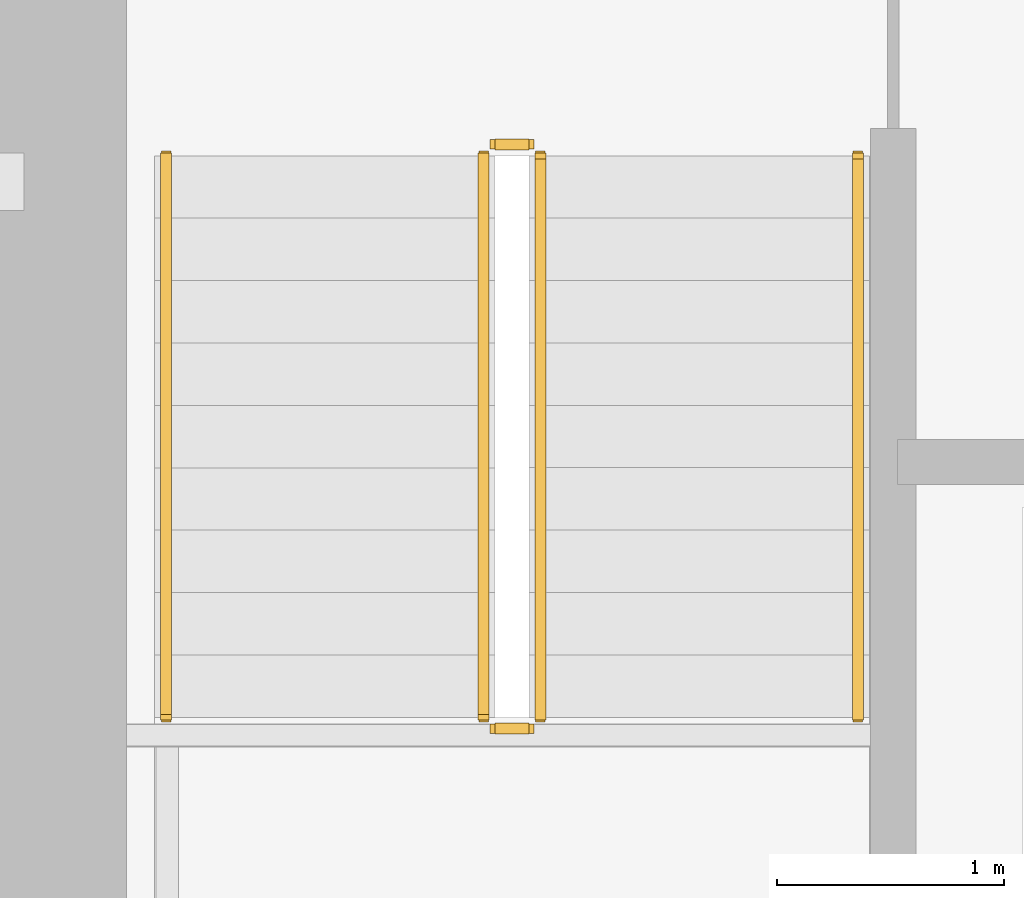
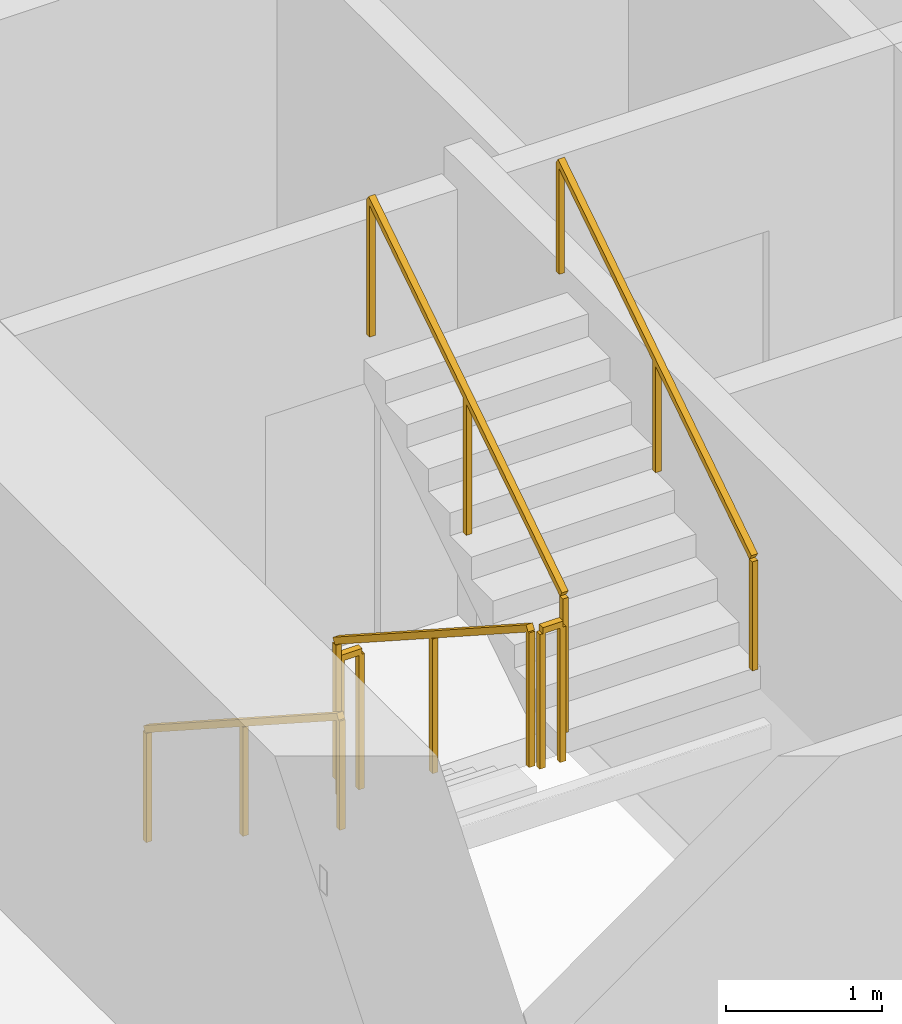
# One storey, part 11 of 13: 6 railings.
"""IFC4 building model written with IfcOpenShell, lengths in metres."""

from ifc_helpers import new_model, si_unit, direction, frame, origin, origin_2d, place, context, subcontext, project, spatial, rectangle, extrude, material, type_object, element, save


model = new_model("IFC4")

# Units and contexts
model_context = context("Model", 3, precision=1e-05, world=origin(), true_north=direction((0.0, 1.0)))
body_context = subcontext(model_context, "Body", "Model", "MODEL_VIEW")
ifc_project = project(units=[si_unit("LENGTHUNIT", "METRE"), si_unit("AREAUNIT", "SQUARE_METRE"), si_unit("VOLUMEUNIT", "CUBIC_METRE"), si_unit("PLANEANGLEUNIT", "RADIAN"), si_unit("MASSUNIT", "GRAM", prefix="KILO")], contexts=[model_context])

# Site, building, storey
site_placement = place(None, origin())
site = spatial("IfcSite", under=ifc_project, at=site_placement, CompositionType="ELEMENT")
building_placement = place(site_placement, origin())
building = spatial("IfcBuilding", under=site, at=building_placement, Name="Cinnabar Lancet Tower", CompositionType="ELEMENT")
storey_placement = place(building_placement, frame((0.0, 0.0, 63.949951171875)))
storey = spatial("IfcBuildingStorey", under=building, at=storey_placement, Name="L16", CompositionType="ELEMENT", Elevation=63.949951171875)

# Railings
ifc_material_1 = material(Name="Painted galvanized steel balustrade", Category="steel")
railing_type_1 = type_object("IfcRailingType", Name="GUARD-STAIR", PredefinedType="GUARDRAIL", material=ifc_material_1)
railing_1_placement = place(storey_placement, frame((24.97509765625, 28.39990234375, 0.177490234375)))
element("IfcRailing", 1, at=railing_1_placement, inside=storey, type_object=railing_type_1, Name="L16 ST-1 stair guard 1", PredefinedType="GUARDRAIL", context=body_context, shape_type="SweptSolid", body=[
    extrude(rectangle(XDim=0.048095703125, YDim=0.048095703125, at=origin_2d()), frame((0.0, 0.0, 1.076171875), z_axis=(0.0, -0.84014559416, 0.542360932049), x_axis=(1.0, 0.0, 0.0)), (0.0, 0.0, 1.0), 2.94580078125),
    extrude(rectangle(XDim=0.0419921875, YDim=0.0419921875, at=origin_2d()), origin(), (0.0, 0.0, 1.0), 1.052001953125),
    extrude(rectangle(XDim=0.0419921875, YDim=0.0419921875, at=origin_2d()), frame((0.0, -1.2373046875, 0.798828125)), (0.0, 0.0, 1.0), 1.052001953125),
    extrude(rectangle(XDim=0.0419921875, YDim=0.0419921875, at=origin_2d()), frame((0.0, -2.474853515625, 1.59765625)), (0.0, 0.0, 1.0), 1.052001953125),
])
railing_2_placement = place(storey_placement, frame((25.02490234375, 25.875, 1.775146484375)))
element("IfcRailing", 2, at=railing_2_placement, inside=storey, type_object=railing_type_1, Name="L16 ST-1 stair guard 2", PredefinedType="GUARDRAIL", context=body_context, shape_type="SweptSolid", body=[
    extrude(rectangle(XDim=0.048095703125, YDim=0.048095703125, at=origin_2d()), frame((0.0, 0.0, 1.076171875), z_axis=(1.0, 0.0, 0.0), x_axis=(0.0, 1.0, 0.0)), (0.0, 0.0, 1.0), 0.150146484375),
    extrude(rectangle(XDim=0.0419921875, YDim=0.0419921875, at=origin_2d()), origin(), (0.0, 0.0, 1.0), 1.052001953125),
    extrude(rectangle(XDim=0.0419921875, YDim=0.0419921875, at=origin_2d()), frame((0.150146484375, 0.0, 0.0)), (0.0, 0.0, 1.0), 1.052001953125),
])
railing_3_placement = place(storey_placement, frame((25.22509765625, 25.925048828125, 1.95263671875)))
element("IfcRailing", 3, at=railing_3_placement, inside=storey, type_object=railing_type_1, Name="L16 ST-1 stair guard 3", PredefinedType="GUARDRAIL", context=body_context, shape_type="SweptSolid", body=[
    extrude(rectangle(XDim=0.048095703125, YDim=0.048095703125, at=origin_2d()), frame((0.0, 0.0, 1.076171875), z_axis=(0.0, 0.840183358697, 0.542302428327), x_axis=(-1.0, 0.0, 0.0)), (0.0, 0.0, 1.0), 2.945556640625),
    extrude(rectangle(XDim=0.0419921875, YDim=0.0419921875, at=origin_2d()), origin(), (0.0, 0.0, 1.0), 1.052001953125),
    extrude(rectangle(XDim=0.0419921875, YDim=0.0419921875, at=origin_2d()), frame((0.0, 1.2373046875, 0.798828125)), (0.0, 0.0, 1.0), 1.052001953125),
    extrude(rectangle(XDim=0.0419921875, YDim=0.0419921875, at=origin_2d()), frame((0.0, 2.474853515625, 1.597412109375)), (0.0, 0.0, 1.0), 1.052001953125),
])
railing_4_placement = place(storey_placement, frame((25.02490234375, 28.449951171875, 0.0)))
element("IfcRailing", 4, at=railing_4_placement, inside=storey, type_object=railing_type_1, Name="L16 ST-1 stair guard 4", PredefinedType="GUARDRAIL", context=body_context, shape_type="SweptSolid", body=[
    extrude(rectangle(XDim=0.048095703125, YDim=0.048095703125, at=origin_2d()), frame((0.0, 0.0, 1.076171875), z_axis=(1.0, 0.0, 0.0), x_axis=(0.0, 1.0, 0.0)), (0.0, 0.0, 1.0), 0.150146484375),
    extrude(rectangle(XDim=0.0419921875, YDim=0.0419921875, at=origin_2d()), origin(), (0.0, 0.0, 1.0), 1.052001953125),
    extrude(rectangle(XDim=0.0419921875, YDim=0.0419921875, at=origin_2d()), frame((0.150146484375, 0.0, 0.0)), (0.0, 0.0, 1.0), 1.052001953125),
])
ifc_material_2 = material(Name="Brushed stainless steel handrail", Category="steel")
railing_type_2 = type_object("IfcRailingType", Name="HANDRAIL-STAIR", PredefinedType="HANDRAIL", material=ifc_material_2)
railing_5_placement = place(storey_placement, frame((23.574951171875, 28.39990234375, 0.177490234375)))
element("IfcRailing", 5, at=railing_5_placement, inside=storey, type_object=railing_type_2, Name="L16 ST-1 stair handrail 1", PredefinedType="HANDRAIL", context=body_context, shape_type="SweptSolid", body=[
    extrude(rectangle(XDim=0.048095703125, YDim=0.048095703125, at=origin_2d()), frame((0.0, 0.0, 0.8759765625), z_axis=(0.0, -0.84014559416, 0.542360932049), x_axis=(1.0, 0.0, 0.0)), (0.0, 0.0, 1.0), 2.94580078125),
    extrude(rectangle(XDim=0.0419921875, YDim=0.0419921875, at=origin_2d()), origin(), (0.0, 0.0, 1.0), 0.851806640625),
    extrude(rectangle(XDim=0.0419921875, YDim=0.0419921875, at=origin_2d()), frame((0.0, -1.2373046875, 0.798828125)), (0.0, 0.0, 1.0), 0.851806640625),
    extrude(rectangle(XDim=0.0419921875, YDim=0.0419921875, at=origin_2d()), frame((0.0, -2.474853515625, 1.59765625)), (0.0, 0.0, 1.0), 0.851806640625),
])
railing_6_placement = place(storey_placement, frame((26.625, 25.925048828125, 1.95263671875)))
element("IfcRailing", 6, at=railing_6_placement, inside=storey, type_object=railing_type_2, Name="L16 ST-1 stair handrail 2", PredefinedType="HANDRAIL", context=body_context, shape_type="SweptSolid", body=[
    extrude(rectangle(XDim=0.048095703125, YDim=0.048095703125, at=origin_2d()), frame((0.0, 0.0, 0.8759765625), z_axis=(0.0, 0.840183358697, 0.542302428327), x_axis=(-1.0, 0.0, 0.0)), (0.0, 0.0, 1.0), 2.945556640625),
    extrude(rectangle(XDim=0.0419921875, YDim=0.0419921875, at=origin_2d()), origin(), (0.0, 0.0, 1.0), 0.851806640625),
    extrude(rectangle(XDim=0.0419921875, YDim=0.0419921875, at=origin_2d()), frame((0.0, 1.2373046875, 0.798828125)), (0.0, 0.0, 1.0), 0.851806640625),
    extrude(rectangle(XDim=0.0419921875, YDim=0.0419921875, at=origin_2d()), frame((0.0, 2.474853515625, 1.597412109375)), (0.0, 0.0, 1.0), 0.851806640625),
])

save(model, "model.ifc")
